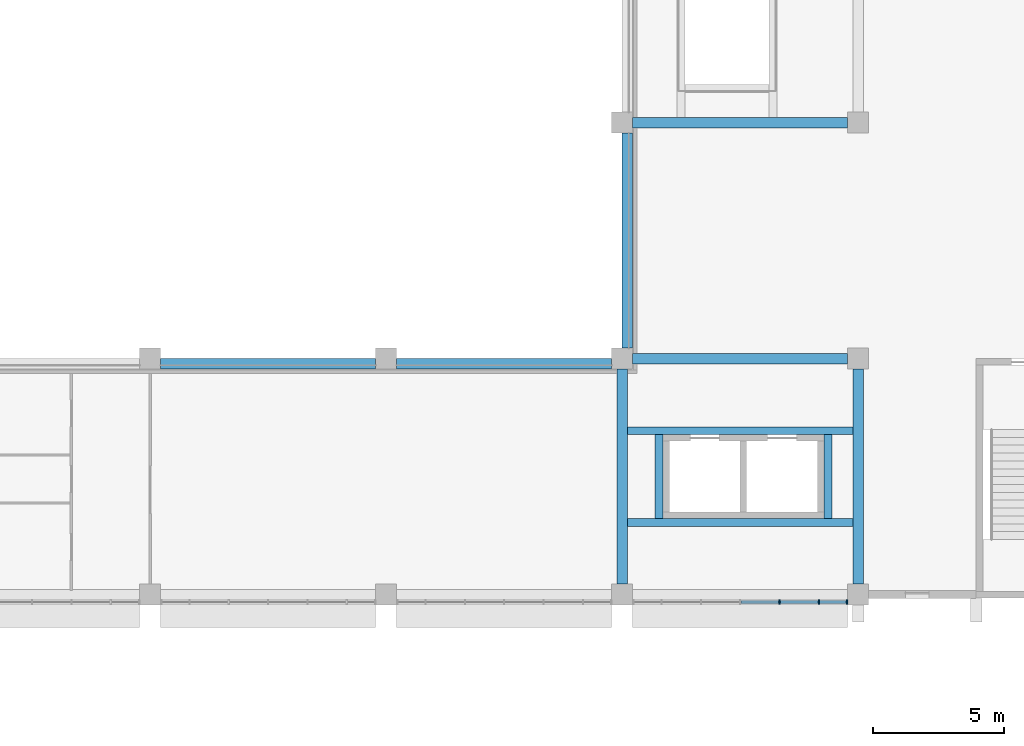
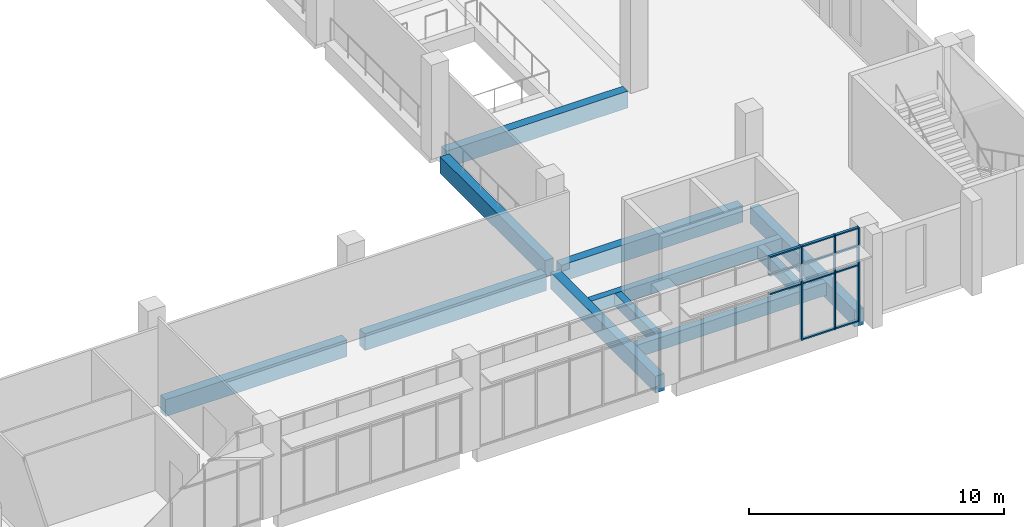
# One storey, part 6 of 79: 14 members, 11 beams, 1 element without a shape of its own.
"""IFC4 building model written with IfcOpenShell, lengths in metres."""

import ifcopenshell
import ifcopenshell.guid

model = None  # the IFC model being written
_history = None  # IfcOwnerHistory: only IFC2X3 demands one
_inside = {}  # id of a spatial element -> (the spatial element, [elements in it])
_under = {}  # id of a project, library or spatial element -> (it, [spatial elements below it])
_declared = {}  # id of a project -> (the project, [libraries it declares])
_typed = {}  # id of a type object -> (the type object, [elements of that type])
_made_of = {}  # id of a material, layer set ... -> (it, [elements and type objects made of it])


def new_model(schema):
    """Start an empty IFC model of exactly this schema.

    Asked for "IFC4X3", IfcOpenShell would pick the latest addendum, in which some entities
    have other attributes; the version numbers below select the first issue.
    IFC2X3 requires an IfcOwnerHistory on every rooted entity: one is made here for all.
    """
    global model, _history
    if schema == "IFC4X3":
        model = ifcopenshell.file(schema_version=(4, 3, 0, 0))
    else:
        model = ifcopenshell.file(schema=schema)
    _inside.clear()
    _under.clear()
    _declared.clear()
    _typed.clear()
    _made_of.clear()
    _history = None
    if model.schema == "IFC2X3":
        org = make("IfcOrganization", Name="unknown")
        user = make(
            "IfcPersonAndOrganization",
            ThePerson=make("IfcPerson", FamilyName="unknown"),
            TheOrganization=org,
        )
        app = make(
            "IfcApplication",
            ApplicationDeveloper=org,
            Version="unknown",
            ApplicationFullName="unknown",
            ApplicationIdentifier="unknown",
        )
        _history = make(
            "IfcOwnerHistory",
            OwningUser=user,
            OwningApplication=app,
            ChangeAction="ADDED",
            CreationDate=0,
        )
    return model


def make(cls, **values):
    """One entity of the class cls with the attributes given. An attribute that is None is left unset."""
    return model.create_entity(
        cls, **{name: value for name, value in values.items() if value is not None}
    )


def rooted(cls, **values):
    """An entity with a GlobalId (a new one), such as an element, a storey or a relation."""
    return make(cls, GlobalId=ifcopenshell.guid.new(), OwnerHistory=_history, **values)


def si_unit(unit_type, name, prefix=None):
    """IfcSIUnit, for example si_unit("LENGTHUNIT", "METRE", prefix="MILLI")."""
    return make("IfcSIUnit", UnitType=unit_type, Prefix=prefix, Name=name)


def assignment(units):
    """IfcUnitAssignment: the units of a project."""
    return None if units is None else make("IfcUnitAssignment", Units=units)


def point(xyz):
    """IfcCartesianPoint."""
    return None if xyz is None else make("IfcCartesianPoint", Coordinates=xyz)


def direction(xyz):
    """IfcDirection."""
    return None if xyz is None else make("IfcDirection", DirectionRatios=xyz)


def frame(location, z_axis=None, x_axis=None):
    """IfcAxis2Placement3D, a coordinate frame: its origin and axes. An axis left out is left unset."""
    return make(
        "IfcAxis2Placement3D",
        Location=point(location),
        Axis=direction(z_axis),
        RefDirection=direction(x_axis),
    )


def frame_2d(location, x_axis=None):
    """IfcAxis2Placement2D, a coordinate frame in the plane: its origin and x axis."""
    return make(
        "IfcAxis2Placement2D", Location=point(location), RefDirection=direction(x_axis)
    )


def origin():
    """The frame at (0, 0, 0) with its axes left unset."""
    return frame((0.0, 0.0, 0.0))


def origin_2d():
    """The frame at (0, 0) in the plane with its x axis left unset."""
    return frame_2d((0.0, 0.0))


def place(relative_to, where):
    """IfcLocalPlacement: puts the frame where relative to a parent placement (None: the world)."""
    return make(
        "IfcLocalPlacement", PlacementRelTo=relative_to, RelativePlacement=where
    )


def context(
    kind, dimensions, precision=None, world=None, true_north=None, identifier=None
):
    """IfcGeometricRepresentationContext, for example the 3D "Model" context."""
    return make(
        "IfcGeometricRepresentationContext",
        ContextIdentifier=identifier,
        ContextType=kind,
        CoordinateSpaceDimension=dimensions,
        Precision=precision,
        WorldCoordinateSystem=world,
        TrueNorth=true_north,
    )


def subcontext(parent, identifier, kind, view, scale=None):
    """IfcGeometricRepresentationSubContext, for example "Body" below "Model"."""
    return make(
        "IfcGeometricRepresentationSubContext",
        ContextIdentifier=identifier,
        ContextType=kind,
        ParentContext=parent,
        TargetScale=scale,
        TargetView=view,
    )


def project(units=None, contexts=None):
    """IfcProject with its units and contexts."""
    return rooted(
        "IfcProject",
        Name="project",
        RepresentationContexts=contexts,
        UnitsInContext=assignment(units),
    )


def spatial(cls, under=None, at=None, **own):
    """A site, building, storey or space (cls), placed at a placement, below another one or the project."""
    s = rooted(cls, ObjectPlacement=at, **own)
    if under is not None:
        _under.setdefault(under.id(), (under, []))[1].append(s)
    return s


def profile(cls, at=None, kind="AREA", **sizes):
    """A parametric profile (cls). Its sizes go by their IFC names, for example OverallWidth=200.0."""
    return make(cls, ProfileType=kind, Position=at, **sizes)


def rectangle(**sizes):
    """IfcRectangleProfileDef."""
    return profile("IfcRectangleProfileDef", **sizes)


def extrude(swept, where, along, depth):
    """IfcExtrudedAreaSolid: the profile swept, set in the frame where, extruded along a direction by depth."""
    return make(
        "IfcExtrudedAreaSolid",
        SweptArea=swept,
        Position=where,
        ExtrudedDirection=direction(along),
        Depth=depth,
    )


def shape(context_of_items, identifier, shape_type, items):
    """IfcShapeRepresentation: the items that make up one representation, for example the "Body"."""
    return make(
        "IfcShapeRepresentation",
        ContextOfItems=context_of_items,
        RepresentationIdentifier=identifier,
        RepresentationType=shape_type,
        Items=items,
    )


def material(Name=None, Category=None):
    """IfcMaterial."""
    return make("IfcMaterial", Name=Name, Category=Category)


def layer(
    of_material, thickness, ventilated=None, Name=None, Category=None, Priority=None
):
    """IfcMaterialLayer: one layer of a wall or slab, of a material (None: an air gap)."""
    return make(
        "IfcMaterialLayer",
        Material=of_material,
        LayerThickness=thickness,
        IsVentilated=ventilated,
        Name=Name,
        Category=Category,
        Priority=Priority,
    )


def layer_set(layers, Name=None):
    """IfcMaterialLayerSet."""
    return make("IfcMaterialLayerSet", MaterialLayers=layers, LayerSetName=Name)


def material_profile(
    of_material, cross_section, Name=None, Category=None, Priority=None
):
    """IfcMaterialProfile: a cross section and its material."""
    return make(
        "IfcMaterialProfile",
        Name=Name,
        Material=of_material,
        Profile=cross_section,
        Priority=Priority,
        Category=Category,
    )


def profile_set(profiles, Name=None, composite=None):
    """IfcMaterialProfileSet."""
    return make(
        "IfcMaterialProfileSet",
        Name=Name,
        MaterialProfiles=profiles,
        CompositeProfile=composite,
    )


def made_of(thing, what):
    """Note that an element or type object is made of a material, layer set ...; save() writes the relation."""
    if what is not None:
        _made_of.setdefault(what.id(), (what, []))[1].append(thing)
    return thing


def type_object(cls, material=None, **own):
    """A type object (cls), such as IfcWallType, which elements share."""
    return made_of(rooted(cls, **own), material)


def element(
    cls,
    number,
    at=None,
    inside=None,
    cuts=None,
    type_object=None,
    material=None,
    context=None,
    identifier="Body",
    shape_type=None,
    held_by="IfcProductDefinitionShape",
    body=None,
    shapes=None,
    **own,
):
    """One element of the class cls, such as IfcWall. Its Tag is "e" and its number.

    at: its placement. inside: the storey or other place that contains it. cuts: it is an
    opening in that element (IfcRelVoidsElement). A single representation is given by context,
    identifier, shape_type and body (its items); several are given by shapes. held_by: the class
    of the entity that holds the representations. save() writes the other relations.
    """
    e = rooted(cls, Tag="e%d" % number, ObjectPlacement=at, **own)
    if body is not None:
        shapes = [shape(context, identifier, shape_type, body)]
    if shapes is not None:
        e.Representation = make(held_by, Representations=shapes)
    if inside is not None:
        _inside.setdefault(inside.id(), (inside, []))[1].append(e)
    if cuts is not None:
        rooted(
            "IfcRelVoidsElement", RelatingBuildingElement=cuts, RelatedOpeningElement=e
        )
    if type_object is not None:
        _typed.setdefault(type_object.id(), (type_object, []))[1].append(e)
    return made_of(e, material)


def aggregate(whole, parts):
    """IfcRelAggregates: a whole, such as a stair, and the parts it consists of."""
    return rooted("IfcRelAggregates", RelatingObject=whole, RelatedObjects=parts)


def save(model, path):
    """Write the relations noted so far, then the file.

    IfcRelAggregates (storeys below a building ...), IfcRelContainedInSpatialStructure (elements
    in a storey), IfcRelDefinesByType, IfcRelAssociatesMaterial and IfcRelDeclares: one each for
    every whole, place, type object, material and project.
    """
    for whole, parts in _under.values():
        aggregate(whole, parts)
    for where, things in _inside.values():
        rooted(
            "IfcRelContainedInSpatialStructure",
            RelatedElements=things,
            RelatingStructure=where,
        )
    for kind, things in _typed.values():
        rooted("IfcRelDefinesByType", RelatedObjects=things, RelatingType=kind)
    for what, things in _made_of.values():
        rooted("IfcRelAssociatesMaterial", RelatedObjects=things, RelatingMaterial=what)
    for by, libraries in _declared.values():
        rooted("IfcRelDeclares", RelatingContext=by, RelatedDefinitions=libraries)
    model.write(path)


model = new_model("IFC4")

# Units and contexts
model_context = context("Model", 3, precision=1e-05, world=origin(), true_north=direction((0.0, 1.0)))
body_context = subcontext(model_context, "Body", "Model", "MODEL_VIEW")
ifc_project = project(units=[si_unit("LENGTHUNIT", "METRE"), si_unit("AREAUNIT", "SQUARE_METRE"), si_unit("VOLUMEUNIT", "CUBIC_METRE"), si_unit("PLANEANGLEUNIT", "RADIAN"), si_unit("MASSUNIT", "GRAM", prefix="KILO")], contexts=[model_context])

# Site, building, storey
site_placement = place(None, origin())
site = spatial("IfcSite", under=ifc_project, at=site_placement, CompositionType="ELEMENT")
building_placement = place(site_placement, origin())
building = spatial("IfcBuilding", under=site, at=building_placement, Name="Guidao Yard Department Store", CompositionType="ELEMENT")
storey_placement = place(building_placement, frame((0.0, 0.0, 15.0)))
storey = spatial("IfcBuildingStorey", under=building, at=storey_placement, Name="L03", CompositionType="ELEMENT", Elevation=15.0)

# Beams
ifc_material_1 = material(Name="Concrete C40", Category="concrete")
ifc_material_profile_1 = material_profile(ifc_material_1, rectangle(XDim=0.39990234375, YDim=0.800048828125, at=origin_2d()), Name="Edge beam 400 x 800 C40")
ifc_profile_set_1 = profile_set([ifc_material_profile_1], Name="Concrete C40")
beam_type_1 = type_object("IfcBeamType", Name="Edge beam 400 x 800 C40", PredefinedType="BEAM", material=ifc_profile_set_1)
for number, where, z_axis, x_axis, name in (
    (1, (27.39990234375, 53.800048828125, -0.39990234375), (1.0, 0.0, 0.0), (0.0, 1.0, 0.0), "Beam EB21"),
    (2, (36.39990234375, 53.800048828125, -0.39990234375), (1.0, 0.0, 0.0), (0.0, 1.0, 0.0), "Beam EB22"),
    (3, (45.199951171875, 54.39990234375, -0.39990234375), (0.0, 1.0, 0.0), (-1.0, 0.0, 0.0), "Beam EB23"),
    (4, (45.39990234375, 54.0, -0.39990234375), (1.0, 0.0, 0.0), (0.0, 1.0, 0.0), "Beam EB36"),
    (5, (45.0, 45.39990234375, -0.39990234375), (0.0, 1.0, 0.0), (-1.0, 0.0, 0.0), "Beam EB37"),
    (6, (54.0, 45.39990234375, -0.39990234375), (0.0, 1.0, 0.0), (-1.0, 0.0, 0.0), "Beam EB38"),
    (7, (45.39990234375, 63.0, -0.39990234375), (1.0, 0.0, 0.0), (0.0, 1.0, 0.0), "Beam EB39"),
):
    element("IfcBeam", number, at=place(storey_placement, frame(where, z_axis=z_axis, x_axis=x_axis)), inside=storey, type_object=beam_type_1, Name=name, PredefinedType="BEAM", context=body_context, shape_type="SweptSolid", body=[
        extrude(rectangle(XDim=0.39990234375, YDim=0.800048828125, at=origin_2d()), origin(), (0.0, 0.0, 1.0), 8.2001953125),
    ])

# Curtain wall, members
ifc_material_2 = material(Name="Aluminium and glass", Category="aluminium")
ifc_layer = layer(ifc_material_2, 0.159912109375)
ifc_layer_set = layer_set([ifc_layer], Name="Hall front curtain wall CW2 1500 module")
curtain_wall_type = type_object("IfcCurtainWallType", Name="Hall front curtain wall CW2 1500 module", PredefinedType="NOTDEFINED", material=ifc_layer_set)
curtain_wall_placement = place(storey_placement, origin())
curtain_wall = element("IfcCurtainWall", 8, at=curtain_wall_placement, inside=storey, type_object=curtain_wall_type, Name="Hall front curtain wall", PredefinedType="NOTDEFINED")
ifc_material_3 = material(Name="Aluminium 6063-T5", Category="aluminium")
ifc_material_profile_2 = material_profile(ifc_material_3, rectangle(XDim=0.06005859375, YDim=0.159912109375, at=origin_2d()), Name="Mullion M1 60 x 160 aluminium pressure plate")
ifc_profile_set_2 = profile_set([ifc_material_profile_2], Name="Aluminium 6063-T5")
member_type_1 = type_object("IfcMemberType", Name="Mullion M1 60 x 160 aluminium pressure plate", PredefinedType="MULLION", material=ifc_profile_set_2)
member_1_placement = place(storey_placement, frame((51.0, 44.719970703125, 0.0), z_axis=(0.0, 0.0, 1.0), x_axis=(-1.0, 0.0, 0.0)))
member_1 = element("IfcMember", 9, at=member_1_placement, type_object=member_type_1, Name="CW-HF-L03-05 mullion 5", PredefinedType="MULLION", context=body_context, shape_type="SweptSolid", body=[
    extrude(rectangle(XDim=0.06005859375, YDim=0.159912109375, at=origin_2d()), origin(), (0.0, 0.0, 1.0), 4.5),
])
member_2_placement = place(storey_placement, frame((52.5, 44.719970703125, 0.0), z_axis=(0.0, 0.0, 1.0), x_axis=(-1.0, 0.0, 0.0)))
member_2 = element("IfcMember", 10, at=member_2_placement, type_object=member_type_1, Name="CW-HF-L03-05 mullion 6", PredefinedType="MULLION", context=body_context, shape_type="SweptSolid", body=[
    extrude(rectangle(XDim=0.06005859375, YDim=0.159912109375, at=origin_2d()), origin(), (0.0, 0.0, 1.0), 4.5),
])
member_3_placement = place(storey_placement, frame((53.570068359375, 44.719970703125, 0.0), z_axis=(0.0, 0.0, 1.0), x_axis=(-1.0, 0.0, 0.0)))
member_3 = element("IfcMember", 11, at=member_3_placement, type_object=member_type_1, Name="CW-HF-L03-05 mullion 7", PredefinedType="MULLION", context=body_context, shape_type="SweptSolid", body=[
    extrude(rectangle(XDim=0.06005859375, YDim=0.159912109375, at=origin_2d()), origin(), (0.0, 0.0, 1.0), 4.5),
])

# Beams
ifc_material_4 = material(Name="Concrete C40", Category="concrete")
ifc_material_profile_3 = material_profile(ifc_material_4, rectangle(XDim=0.300048828125, YDim=0.60009765625, at=origin_2d()), Name="Opening beam 300 x 600 C40")
ifc_profile_set_3 = profile_set([ifc_material_profile_3], Name="Concrete C40")
beam_type_2 = type_object("IfcBeamType", Name="Opening beam 300 x 600 C40", PredefinedType="BEAM", material=ifc_profile_set_3)
for number, where, z_axis, x_axis, name in (
    (12, (45.199951171875, 47.75, -0.300048828125), (1.0, 0.0, 0.0), (0.0, 1.0, 0.0), "Beam OB09"),
    (13, (45.199951171875, 51.25, -0.300048828125), (1.0, 0.0, 0.0), (0.0, 1.0, 0.0), "Beam OB10"),
):
    element("IfcBeam", number, at=place(storey_placement, frame(where, z_axis=z_axis, x_axis=x_axis)), inside=storey, type_object=beam_type_2, Name=name, PredefinedType="BEAM", context=body_context, shape_type="SweptSolid", body=[
        extrude(rectangle(XDim=0.300048828125, YDim=0.60009765625, at=origin_2d()), origin(), (0.0, 0.0, 1.0), 8.60009765625),
    ])
for number, where, z_axis, x_axis, name in (
    (14, (46.39990234375, 47.89990234375, -0.300048828125), (0.0, 1.0, 0.0), (-1.0, 0.0, 0.0), "Beam OB11"),
    (15, (52.85009765625, 47.89990234375, -0.300048828125), (0.0, 1.0, 0.0), (-1.0, 0.0, 0.0), "Beam OB12"),
):
    element("IfcBeam", number, at=place(storey_placement, frame(where, z_axis=z_axis, x_axis=x_axis)), inside=storey, type_object=beam_type_2, Name=name, PredefinedType="BEAM", context=body_context, shape_type="SweptSolid", body=[
        extrude(rectangle(XDim=0.300048828125, YDim=0.60009765625, at=origin_2d()), origin(), (0.0, 0.0, 1.0), 3.2001953125),
    ])

# Member
ifc_material_5 = material(Name="Aluminium 6063-T5", Category="aluminium")
ifc_material_profile_4 = material_profile(ifc_material_5, rectangle(XDim=0.1201171875, YDim=0.06005859375, at=origin_2d()), Name="Transom T1 60 x 120 aluminium pressure plate")
ifc_profile_set_4 = profile_set([ifc_material_profile_4], Name="Aluminium 6063-T5")
member_type_2 = type_object("IfcMemberType", Name="Transom T1 60 x 120 aluminium pressure plate", PredefinedType="USERDEFINED", material=ifc_profile_set_4)
member_4_placement = place(storey_placement, frame((50.969970703125, 44.719970703125, 2.699951171875), z_axis=(-1.0, 0.0, 0.0), x_axis=(0.0, -1.0, 0.0)))
member_4 = element("IfcMember", 16, at=member_4_placement, type_object=member_type_2, Name="CW-HF-L03-05 transom 4.2", ObjectType="TRANSOM", PredefinedType="USERDEFINED", context=body_context, shape_type="SweptSolid", body=[
    extrude(rectangle(XDim=0.1201171875, YDim=0.06005859375, at=origin_2d()), origin(), (0.0, 0.0, 1.0), 1.43994140625),
])

member_5_placement = place(storey_placement, frame((50.969970703125, 44.719970703125, 3.60009765625), z_axis=(-1.0, 0.0, 0.0), x_axis=(0.0, -1.0, 0.0)))
member_5 = element("IfcMember", 17, at=member_5_placement, type_object=member_type_2, Name="CW-HF-L03-05 transom 4.3", ObjectType="TRANSOM", PredefinedType="USERDEFINED", context=body_context, shape_type="SweptSolid", body=[
    extrude(rectangle(XDim=0.1201171875, YDim=0.06005859375, at=origin_2d()), origin(), (0.0, 0.0, 1.0), 1.43994140625),
])

member_6_placement = place(storey_placement, frame((50.969970703125, 44.719970703125, 4.469970703125), z_axis=(-1.0, 0.0, 0.0), x_axis=(0.0, -1.0, 0.0)))
member_6 = element("IfcMember", 18, at=member_6_placement, type_object=member_type_2, Name="CW-HF-L03-05 transom 4.4", ObjectType="TRANSOM", PredefinedType="USERDEFINED", context=body_context, shape_type="SweptSolid", body=[
    extrude(rectangle(XDim=0.1201171875, YDim=0.06005859375, at=origin_2d()), origin(), (0.0, 0.0, 1.0), 1.43994140625),
])

member_7_placement = place(storey_placement, frame((52.469970703125, 44.719970703125, 0.030029296875), z_axis=(-1.0, 0.0, 0.0), x_axis=(0.0, -1.0, 0.0)))
member_7 = element("IfcMember", 19, at=member_7_placement, type_object=member_type_2, Name="CW-HF-L03-05 transom 5.1", ObjectType="TRANSOM", PredefinedType="USERDEFINED", context=body_context, shape_type="SweptSolid", body=[
    extrude(rectangle(XDim=0.1201171875, YDim=0.06005859375, at=origin_2d()), origin(), (0.0, 0.0, 1.0), 1.43994140625),
])

member_8_placement = place(storey_placement, frame((52.469970703125, 44.719970703125, 2.699951171875), z_axis=(-1.0, 0.0, 0.0), x_axis=(0.0, -1.0, 0.0)))
member_8 = element("IfcMember", 20, at=member_8_placement, type_object=member_type_2, Name="CW-HF-L03-05 transom 5.2", ObjectType="TRANSOM", PredefinedType="USERDEFINED", context=body_context, shape_type="SweptSolid", body=[
    extrude(rectangle(XDim=0.1201171875, YDim=0.06005859375, at=origin_2d()), origin(), (0.0, 0.0, 1.0), 1.43994140625),
])

member_9_placement = place(storey_placement, frame((52.469970703125, 44.719970703125, 3.60009765625), z_axis=(-1.0, 0.0, 0.0), x_axis=(0.0, -1.0, 0.0)))
member_9 = element("IfcMember", 21, at=member_9_placement, type_object=member_type_2, Name="CW-HF-L03-05 transom 5.3", ObjectType="TRANSOM", PredefinedType="USERDEFINED", context=body_context, shape_type="SweptSolid", body=[
    extrude(rectangle(XDim=0.1201171875, YDim=0.06005859375, at=origin_2d()), origin(), (0.0, 0.0, 1.0), 1.43994140625),
])

member_10_placement = place(storey_placement, frame((52.469970703125, 44.719970703125, 4.469970703125), z_axis=(-1.0, 0.0, 0.0), x_axis=(0.0, -1.0, 0.0)))
member_10 = element("IfcMember", 22, at=member_10_placement, type_object=member_type_2, Name="CW-HF-L03-05 transom 5.4", ObjectType="TRANSOM", PredefinedType="USERDEFINED", context=body_context, shape_type="SweptSolid", body=[
    extrude(rectangle(XDim=0.1201171875, YDim=0.06005859375, at=origin_2d()), origin(), (0.0, 0.0, 1.0), 1.43994140625),
])

member_11_placement = place(storey_placement, frame((53.5400390625, 44.719970703125, 0.030029296875), z_axis=(-1.0, 0.0, 0.0), x_axis=(0.0, -1.0, 0.0)))
member_11 = element("IfcMember", 23, at=member_11_placement, type_object=member_type_2, Name="CW-HF-L03-05 transom 6.1", ObjectType="TRANSOM", PredefinedType="USERDEFINED", context=body_context, shape_type="SweptSolid", body=[
    extrude(rectangle(XDim=0.1201171875, YDim=0.06005859375, at=origin_2d()), origin(), (0.0, 0.0, 1.0), 1.010009765625),
])

member_12_placement = place(storey_placement, frame((53.5400390625, 44.719970703125, 2.699951171875), z_axis=(-1.0, 0.0, 0.0), x_axis=(0.0, -1.0, 0.0)))
member_12 = element("IfcMember", 24, at=member_12_placement, type_object=member_type_2, Name="CW-HF-L03-05 transom 6.2", ObjectType="TRANSOM", PredefinedType="USERDEFINED", context=body_context, shape_type="SweptSolid", body=[
    extrude(rectangle(XDim=0.1201171875, YDim=0.06005859375, at=origin_2d()), origin(), (0.0, 0.0, 1.0), 1.010009765625),
])

member_13_placement = place(storey_placement, frame((53.5400390625, 44.719970703125, 3.60009765625), z_axis=(-1.0, 0.0, 0.0), x_axis=(0.0, -1.0, 0.0)))
member_13 = element("IfcMember", 25, at=member_13_placement, type_object=member_type_2, Name="CW-HF-L03-05 transom 6.3", ObjectType="TRANSOM", PredefinedType="USERDEFINED", context=body_context, shape_type="SweptSolid", body=[
    extrude(rectangle(XDim=0.1201171875, YDim=0.06005859375, at=origin_2d()), origin(), (0.0, 0.0, 1.0), 1.010009765625),
])

member_14_placement = place(storey_placement, frame((53.5400390625, 44.719970703125, 4.469970703125), z_axis=(-1.0, 0.0, 0.0), x_axis=(0.0, -1.0, 0.0)))
member_14 = element("IfcMember", 26, at=member_14_placement, type_object=member_type_2, Name="CW-HF-L03-05 transom 6.4", ObjectType="TRANSOM", PredefinedType="USERDEFINED", context=body_context, shape_type="SweptSolid", body=[
    extrude(rectangle(XDim=0.1201171875, YDim=0.06005859375, at=origin_2d()), origin(), (0.0, 0.0, 1.0), 1.010009765625),
])

aggregate(curtain_wall, [member_1, member_2, member_3, member_4, member_5, member_6, member_7, member_8, member_9, member_10, member_11, member_12, member_13, member_14])

save(model, "model.ifc")
